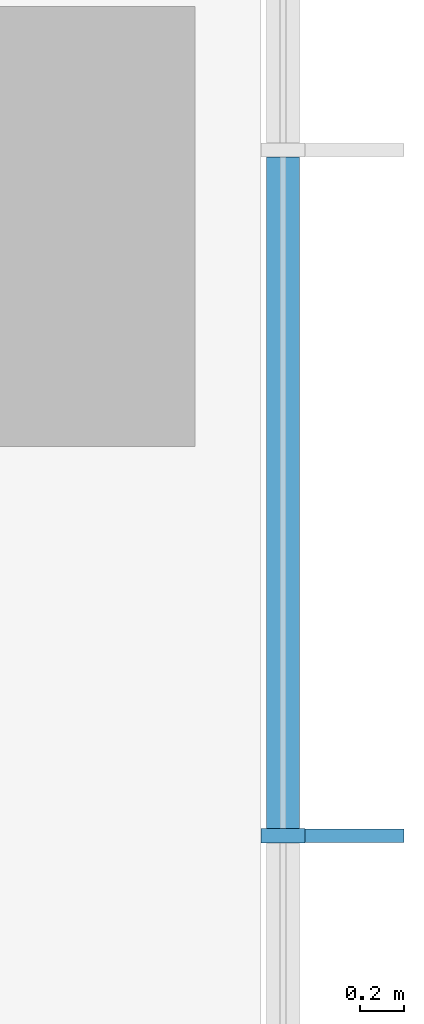
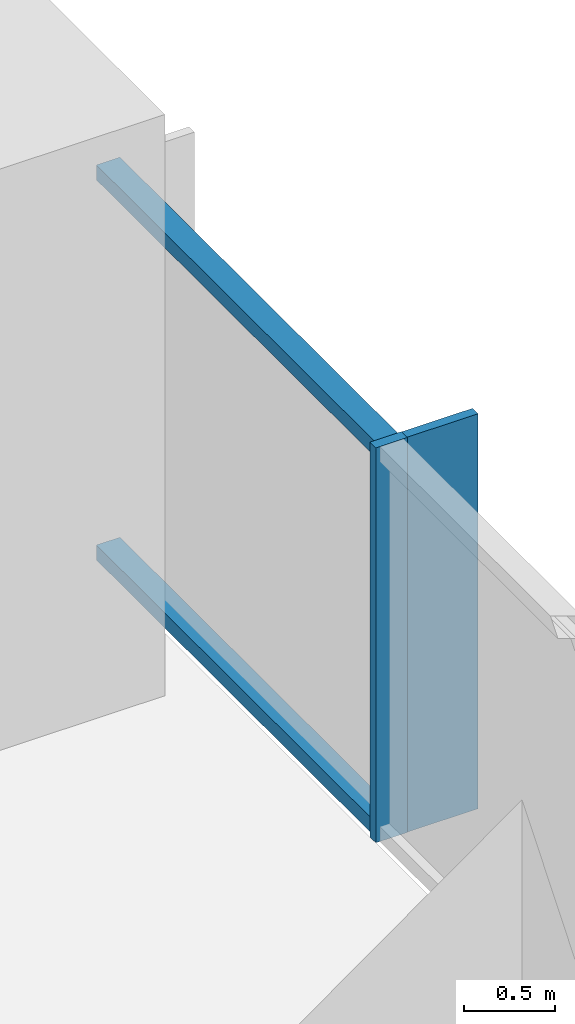
# One storey, part 5 of 13: 4 members, 1 element without a shape of its own.
"""IFC4 building model written with IfcOpenShell, lengths in metres."""

from ifc_helpers import new_model, si_unit, direction, frame, origin, origin_2d, place, context, subcontext, project, spatial, rectangle, extrude, material, layer, layer_set, material_profile, profile_set, type_object, element, aggregate, save


model = new_model("IFC4")

# Units and contexts
model_context = context("Model", 3, precision=1e-05, world=origin(), true_north=direction((0.0, 1.0)))
body_context = subcontext(model_context, "Body", "Model", "MODEL_VIEW")
ifc_project = project(units=[si_unit("LENGTHUNIT", "METRE"), si_unit("AREAUNIT", "SQUARE_METRE"), si_unit("VOLUMEUNIT", "CUBIC_METRE"), si_unit("PLANEANGLEUNIT", "RADIAN"), si_unit("MASSUNIT", "GRAM", prefix="KILO")], contexts=[model_context])

# Site, building, storey
site_placement = place(None, origin())
site = spatial("IfcSite", under=ifc_project, at=site_placement, CompositionType="ELEMENT")
building_placement = place(site_placement, origin())
building = spatial("IfcBuilding", under=site, at=building_placement, Name="Highveld Stack Headquarters", CompositionType="ELEMENT")
storey_placement = place(building_placement, frame((0.0, 0.0, 136.699951171875)))
storey = spatial("IfcBuildingStorey", under=building, at=storey_placement, Name="L33", CompositionType="ELEMENT", Elevation=136.699951171875)

# Curtain wall, members
ifc_material_1 = material(Name="Aluminium bronze anodised", Category="aluminium")
ifc_layer = layer(ifc_material_1, 0.199951171875)
ifc_layer_set = layer_set([ifc_layer], Name="Aluminium bronze anodised")
curtain_wall_type = type_object("IfcCurtainWallType", Name="CW1 TOWER UNITISED CURTAIN WALL", PredefinedType="NOTDEFINED", material=ifc_layer_set)
curtain_wall_placement = place(storey_placement, origin())
curtain_wall = element("IfcCurtainWall", 1, at=curtain_wall_placement, inside=storey, type_object=curtain_wall_type, Name="Curtain wall CW1 L33 E", PredefinedType="NOTDEFINED")
ifc_material_2 = material(Name="Aluminium bronze anodised", Category="aluminium")
ifc_material_profile_1 = material_profile(ifc_material_2, rectangle(XDim=0.449951171875, YDim=0.06005859375, at=origin_2d()), Name="FIN 450x60")
ifc_profile_set_1 = profile_set([ifc_material_profile_1], Name="Aluminium bronze anodised")
member_type_1 = type_object("IfcMemberType", Name="CW1 BRONZE FIN 450x60", PredefinedType="USERDEFINED", material=ifc_profile_set_1)
member_1_placement = place(storey_placement, frame((25.72509765625, 9.23193359375, 0.0), z_axis=(0.0, 0.0, 1.0), x_axis=(-1.0, 0.0, 0.0)))
member_1 = element("IfcMember", 2, at=member_1_placement, type_object=member_type_1, Name="CW1 fin L33 8", ObjectType="FIN", PredefinedType="USERDEFINED", context=body_context, shape_type="SweptSolid", body=[
    extrude(rectangle(XDim=0.449951171875, YDim=0.06005859375, at=origin_2d()), origin(), (0.0, 0.0, 1.0), 2.650146484375),
])
ifc_material_3 = material(Name="Aluminium bronze anodised", Category="aluminium")
ifc_material_profile_2 = material_profile(ifc_material_3, rectangle(XDim=0.199951171875, YDim=0.06494140625, at=origin_2d()), Name="CW1 MULLION 65x200")
ifc_profile_set_2 = profile_set([ifc_material_profile_2], Name="Aluminium bronze anodised")
member_type_2 = type_object("IfcMemberType", Name="CW1 MULLION 65x200", PredefinedType="MULLION", material=ifc_profile_set_2)
member_2_placement = place(storey_placement, frame((25.39990234375, 9.23193359375, 0.0), z_axis=(0.0, 0.0, 1.0), x_axis=(-1.0, 0.0, 0.0)))
member_2 = element("IfcMember", 3, at=member_2_placement, type_object=member_type_2, Name="CW1 mullion L33 8", PredefinedType="MULLION", context=body_context, shape_type="SweptSolid", body=[
    extrude(rectangle(XDim=0.199951171875, YDim=0.06494140625, at=origin_2d()), origin(), (0.0, 0.0, 1.0), 2.650146484375),
])
ifc_material_4 = material(Name="Aluminium bronze anodised", Category="aluminium")
ifc_material_profile_3 = material_profile(ifc_material_4, rectangle(XDim=0.14990234375, YDim=0.10009765625, at=origin_2d()), Name="CW1 TRANSOM 150x100")
ifc_profile_set_3 = profile_set([ifc_material_profile_3], Name="Aluminium bronze anodised")
member_type_3 = type_object("IfcMemberType", Name="CW1 STACK TRANSOM 150x100", PredefinedType="USERDEFINED", material=ifc_profile_set_3)
member_3_placement = place(storey_placement, frame((25.39990234375, 9.264404296875, 0.050048828125), z_axis=(0.0, 1.0, 0.0), x_axis=(-1.0, 0.0, 0.0)))
member_3 = element("IfcMember", 4, at=member_3_placement, type_object=member_type_3, Name="CW1 transom L33 8.1", ObjectType="TRANSOM", PredefinedType="USERDEFINED", context=body_context, shape_type="SweptSolid", body=[
    extrude(rectangle(XDim=0.14990234375, YDim=0.10009765625, at=origin_2d()), origin(), (0.0, 0.0, 1.0), 3.051025390625),
])
member_4_placement = place(storey_placement, frame((25.39990234375, 9.264404296875, 2.60009765625), z_axis=(0.0, 1.0, 0.0), x_axis=(-1.0, 0.0, 0.0)))
member_4 = element("IfcMember", 5, at=member_4_placement, type_object=member_type_3, Name="CW1 transom L33 8.2", ObjectType="TRANSOM", PredefinedType="USERDEFINED", context=body_context, shape_type="SweptSolid", body=[
    extrude(rectangle(XDim=0.14990234375, YDim=0.10009765625, at=origin_2d()), origin(), (0.0, 0.0, 1.0), 3.051025390625),
])
aggregate(curtain_wall, [member_2, member_1, member_3, member_4])

save(model, "model.ifc")
